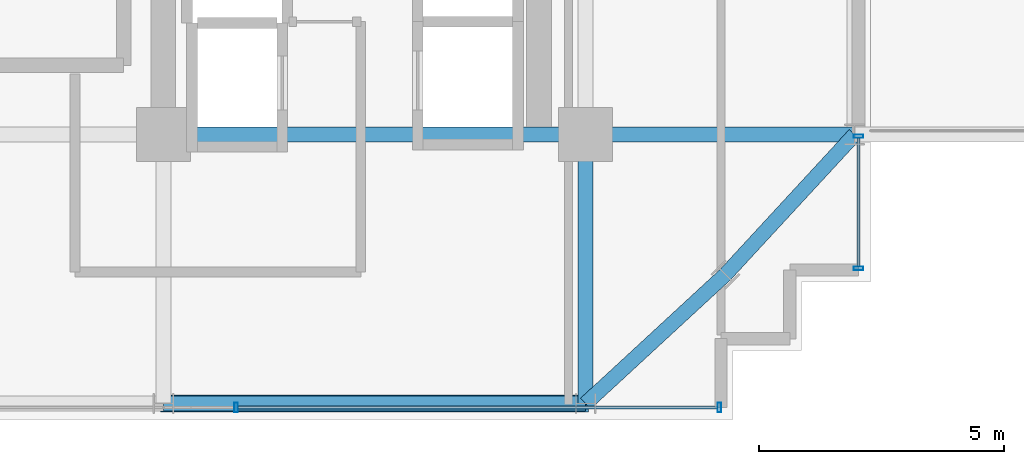
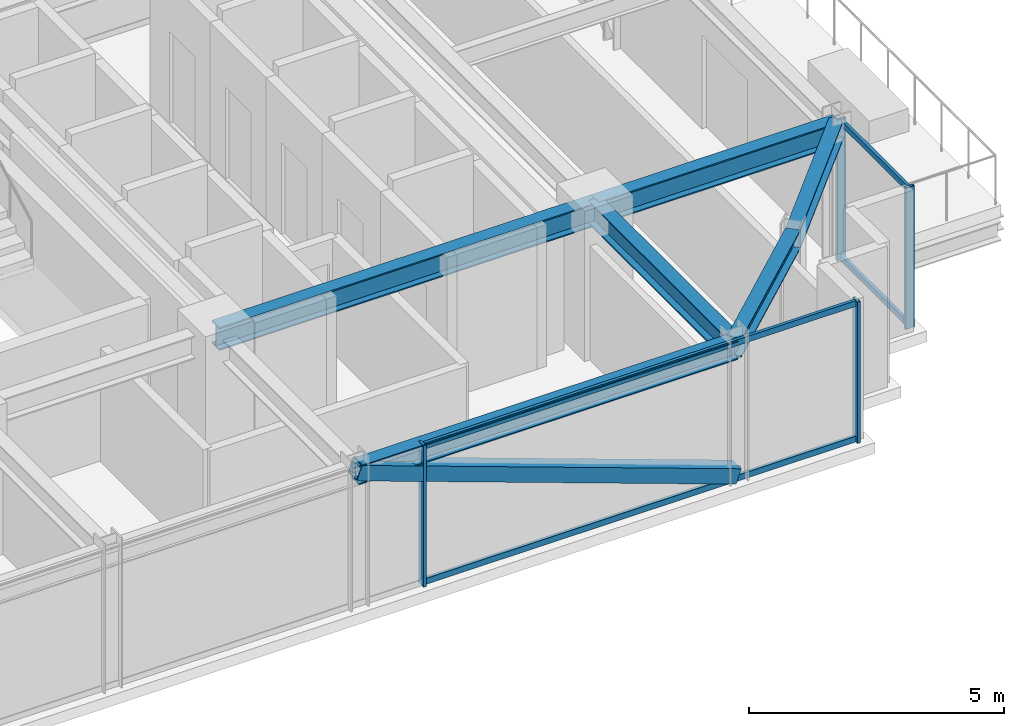
# One storey, part 14 of 36: 9 members, 6 beams, 2 elements without a shape of their own.
"""IFC4 building model written with IfcOpenShell, lengths in metres."""

from ifc_helpers import new_model, si_unit, direction, frame, origin, origin_2d, place, context, subcontext, project, spatial, hollow_rectangle, i_section, extrude, source, transform, mapped, material, material_profile, profile_set, type_object, element, aggregate, save


model = new_model("IFC4")

# Units and contexts
model_context = context("Model", 3, precision=1e-05, world=origin(), true_north=direction((0.0, 1.0)))
body_context = subcontext(model_context, "Body", "Model", "MODEL_VIEW")
ifc_project = project(units=[si_unit("LENGTHUNIT", "METRE"), si_unit("AREAUNIT", "SQUARE_METRE"), si_unit("VOLUMEUNIT", "CUBIC_METRE"), si_unit("PLANEANGLEUNIT", "RADIAN"), si_unit("MASSUNIT", "GRAM", prefix="KILO")], contexts=[model_context])

# Site, building, storey
site_placement = place(None, origin())
site = spatial("IfcSite", under=ifc_project, at=site_placement, CompositionType="ELEMENT")
building_placement = place(site_placement, origin())
building = spatial("IfcBuilding", under=site, at=building_placement, Name="Nahalor Promenade Grand Hotel", CompositionType="ELEMENT")
storey_placement = place(building_placement, frame((0.0, 0.0, 174.550048828125)))
storey = spatial("IfcBuildingStorey", under=building, at=storey_placement, Name="L44", CompositionType="ELEMENT", Elevation=174.550048828125)

# Beams
ifc_material_1 = material(Name="Steel S355JR", Category="steel")
ifc_material_profile_1 = material_profile(ifc_material_1, i_section(OverallWidth=0.3, OverallDepth=0.55, WebThickness=0.015, FlangeThickness=0.029, at=origin_2d()), Name="HEB 550")
ifc_profile_set_1 = profile_set([ifc_material_profile_1], Name="Steel S355JR")
beam_type_1 = type_object("IfcBeamType", Name="Beam-Girder-HEB550", PredefinedType="BEAM", material=ifc_profile_set_1)
shared_shape_1 = source(origin(), body_context, "Body", "SweptSolid", [
    extrude(i_section(OverallWidth=0.3, OverallDepth=0.55, WebThickness=0.015, FlangeThickness=0.029, at=origin_2d()), origin(), (0.0, 0.0, 1.0), 8.60009765625),
])
beam_1_placement = place(storey_placement, frame((8.39990234375, -17.0, 3.114990234375), z_axis=(1.0, 0.0, 0.0), x_axis=(0.0, 1.0, 0.0)))
element("IfcBeam", 1, at=beam_1_placement, inside=storey, type_object=beam_type_1, Name="BM-L44-GX-0-5", PredefinedType="BEAM", context=body_context, shape_type="MappedRepresentation", body=[
    mapped(shared_shape_1, transform((0.0, 0.0, 0.0), scale=1.0)),
])
shared_shape_2 = source(origin(), body_context, "Body", "SweptSolid", [
    extrude(i_section(OverallWidth=0.3, OverallDepth=0.55, WebThickness=0.015, FlangeThickness=0.029, at=origin_2d()), origin(), (0.0, 0.0, 1.0), 5.47998046875),
])
for number, where, z_axis, x_axis, name in (
    (2, (17.0, -17.0, 3.114990234375), (1.0, 0.0, 0.0), (0.0, 1.0, 0.0), "BM-L44-GX-0-6"),
    (3, (17.0, -22.47998046875, 3.114990234375), (0.0, 1.0, 0.0), (-1.0, 0.0, 0.0), "BM-L44-GY-5-0"),
):
    element("IfcBeam", number, at=place(storey_placement, frame(where, z_axis=z_axis, x_axis=x_axis)), inside=storey, type_object=beam_type_1, Name=name, PredefinedType="BEAM", context=body_context, shape_type="MappedRepresentation", body=[
        mapped(shared_shape_2, transform((0.0, 0.0, 0.0), scale=1.0)),
    ])
ifc_material_profile_2 = material_profile(ifc_material_1, i_section(OverallWidth=0.3, OverallDepth=0.45, WebThickness=0.014, FlangeThickness=0.026, at=origin_2d()), Name="HEB 450")
ifc_profile_set_2 = profile_set([ifc_material_profile_2], Name="Steel S355JR")
beam_type_2 = type_object("IfcBeamType", Name="Beam-Spandrel-HEB450", PredefinedType="SPANDREL", material=ifc_profile_set_2)
shared_shape_3 = source(origin(), body_context, "Body", "SweptSolid", [
    extrude(i_section(OverallWidth=0.3, OverallDepth=0.45, WebThickness=0.014, FlangeThickness=0.026, at=origin_2d()), origin(), (0.0, 0.0, 1.0), 8.60009765625),
])
beam_2_placement = place(storey_placement, frame((8.39990234375, -22.47998046875, 3.1650390625), z_axis=(1.0, 0.0, 0.0), x_axis=(0.0, 1.0, 0.0)))
element("IfcBeam", 4, at=beam_2_placement, inside=storey, type_object=beam_type_2, Name="BM-L44-SP-S-4", PredefinedType="SPANDREL", context=body_context, shape_type="MappedRepresentation", body=[
    mapped(shared_shape_3, transform((0.0, 0.0, 0.0), scale=1.0)),
])
shared_shape_4 = source(origin(), body_context, "Body", "SweptSolid", [
    extrude(i_section(OverallWidth=0.3, OverallDepth=0.45, WebThickness=0.014, FlangeThickness=0.026, at=origin_2d()), origin(), (0.0, 0.0, 1.0), 3.878173828125),
])
for number, where, z_axis, x_axis, name in (
    (5, (17.0, -22.47998046875, 3.1650390625), (0.73492893846, 0.678144125843, 0.0), (-0.678144125843, 0.73492893846, 0.0), "BM-L44-SPC-SE-1"),
    (6, (19.85009765625, -19.85009765625, 3.1650390625), (0.678144125843, 0.73492893846, 0.0), (-0.73492893846, 0.678144125843, 0.0), "BM-L44-SPC-SE-2"),
):
    element("IfcBeam", number, at=place(storey_placement, frame(where, z_axis=z_axis, x_axis=x_axis)), inside=storey, type_object=beam_type_2, Name=name, PredefinedType="SPANDREL", context=body_context, shape_type="MappedRepresentation", body=[
        mapped(shared_shape_4, transform((0.0, 0.0, 0.0), scale=1.0)),
    ])

# Member
ifc_material_profile_3 = material_profile(ifc_material_1, hollow_rectangle(XDim=0.35, YDim=0.35, WallThickness=0.02, at=origin_2d()), Name="SHS 350x350x20")
ifc_profile_set_3 = profile_set([ifc_material_profile_3], Name="Steel S355JR")
member_type_1 = type_object("IfcMemberType", Name="Mem-VoidBrace-SHS350", PredefinedType="BRACE", material=ifc_profile_set_3)
shared_shape_5 = source(origin(), body_context, "Body", "SweptSolid", [
    extrude(hollow_rectangle(XDim=0.35, YDim=0.35, WallThickness=0.02, at=origin_2d()), origin(), (0.0, 0.0, 1.0), 9.138427734375),
])
member_1_placement = place(storey_placement, frame((17.0, -22.47998046875, 0.14990234375), z_axis=(-0.941094643271, 0.0, 0.338143272012), x_axis=(0.0, -1.0, 0.0)))
element("IfcMember", 7, at=member_1_placement, inside=storey, type_object=member_type_1, Name="EXO-L44-S-1", PredefinedType="BRACE", context=body_context, shape_type="MappedRepresentation", body=[
    mapped(shared_shape_5, transform((0.0, 0.0, 0.0), scale=1.0)),
])

# Curtain wall, members
ifc_material_2 = material(Name="Anodised Bronze Aluminium EN AW-6063 T6", Category="aluminium")
curtain_wall_type = type_object("IfcCurtainWallType", Name="CW3 Elliptical-Void Collar Unitised Curtain Wall", PredefinedType="USERDEFINED", material=ifc_material_2)
curtain_wall_1_placement = place(storey_placement, origin())
curtain_wall_1 = element("IfcCurtainWall", 8, at=curtain_wall_1_placement, inside=storey, type_object=curtain_wall_type, Name="L44 Curtain Wall CW-L44-S-1", ObjectType="UNITISED_CURTAIN_WALL", PredefinedType="USERDEFINED")
ifc_material_profile_4 = material_profile(ifc_material_2, hollow_rectangle(XDim=0.07, YDim=0.14, WallThickness=0.004, at=origin_2d()), Name="CWT 70x140x4")
ifc_profile_set_4 = profile_set([ifc_material_profile_4], Name="Anodised Bronze Aluminium EN AW-6063 T6")
member_type_2 = type_object("IfcMemberType", Name="CWT3 Void Collar Transom 70x140", PredefinedType="USERDEFINED", material=ifc_profile_set_4)
shared_shape_6 = source(origin(), body_context, "Body", "SweptSolid", [
    extrude(hollow_rectangle(XDim=0.07, YDim=0.14, WallThickness=0.004, at=origin_2d()), origin(), (0.0, 0.0, 1.0), 9.77490234375),
])
member_2_placement = place(storey_placement, frame((9.9150390625, -22.56005859375, 0.070068359375), z_axis=(1.0, 0.0, 0.0), x_axis=(0.0, 1.0, 0.0)))
member_2 = element("IfcMember", 9, at=member_2_placement, type_object=member_type_2, Name="CW-L44-S-1 Transom 3-0", ObjectType="TRANSOM", PredefinedType="USERDEFINED", context=body_context, shape_type="MappedRepresentation", body=[
    mapped(shared_shape_6, transform((0.0, 0.0, 0.0), scale=1.0)),
])
member_3_placement = place(storey_placement, frame((9.9150390625, -22.56005859375, 3.320068359375), z_axis=(1.0, 0.0, 0.0), x_axis=(0.0, 1.0, 0.0)))
member_3 = element("IfcMember", 10, at=member_3_placement, type_object=member_type_2, Name="CW-L44-S-1 Transom 3-1", ObjectType="TRANSOM", PredefinedType="USERDEFINED", context=body_context, shape_type="MappedRepresentation", body=[
    mapped(shared_shape_6, transform((0.0, 0.0, 0.0), scale=1.0)),
])

curtain_wall_2_placement = place(storey_placement, origin())
curtain_wall_2 = element("IfcCurtainWall", 11, at=curtain_wall_2_placement, inside=storey, type_object=curtain_wall_type, Name="L44 Curtain Wall CW-L44-E-1", ObjectType="UNITISED_CURTAIN_WALL", PredefinedType="USERDEFINED")
shared_shape_7 = source(origin(), body_context, "Body", "SweptSolid", [
    extrude(hollow_rectangle(XDim=0.07, YDim=0.14, WallThickness=0.004, at=origin_2d()), origin(), (0.0, 0.0, 1.0), 2.619873046875),
])
member_4_placement = place(storey_placement, frame((22.56005859375, -19.68994140625, 0.070068359375), z_axis=(0.0, 1.0, 0.0), x_axis=(-1.0, 0.0, 0.0)))
member_4 = element("IfcMember", 12, at=member_4_placement, type_object=member_type_2, Name="CW-L44-E-1 Transom 0-0", ObjectType="TRANSOM", PredefinedType="USERDEFINED", context=body_context, shape_type="MappedRepresentation", body=[
    mapped(shared_shape_7, transform((0.0, 0.0, 0.0), scale=1.0)),
])
member_5_placement = place(storey_placement, frame((22.56005859375, -19.68994140625, 3.320068359375), z_axis=(0.0, 1.0, 0.0), x_axis=(-1.0, 0.0, 0.0)))
member_5 = element("IfcMember", 13, at=member_5_placement, type_object=member_type_2, Name="CW-L44-E-1 Transom 0-1", ObjectType="TRANSOM", PredefinedType="USERDEFINED", context=body_context, shape_type="MappedRepresentation", body=[
    mapped(shared_shape_7, transform((0.0, 0.0, 0.0), scale=1.0)),
])

# Member
ifc_material_profile_5 = material_profile(ifc_material_2, hollow_rectangle(XDim=0.07, YDim=0.2, WallThickness=0.005, at=origin_2d()), Name="CWM 70x200x5")
ifc_profile_set_5 = profile_set([ifc_material_profile_5], Name="Anodised Bronze Aluminium EN AW-6063 T6")
member_type_3 = type_object("IfcMemberType", Name="CWM3 Void Collar Mullion 70x200", PredefinedType="MULLION", material=ifc_profile_set_5)
shared_shape_8 = source(origin(), body_context, "Body", "SweptSolid", [
    extrude(hollow_rectangle(XDim=0.07, YDim=0.2, WallThickness=0.005, at=origin_2d()), origin(), (0.0, 0.0, 1.0), 3.389892578125),
])
member_6_placement = place(storey_placement, frame((9.8798828125, -22.56005859375, 0.0), z_axis=(0.0, 0.0, 1.0), x_axis=(1.0, 0.0, 0.0)))
member_6 = element("IfcMember", 14, at=member_6_placement, type_object=member_type_3, Name="CW-L44-S-1 Mullion 3", PredefinedType="MULLION", context=body_context, shape_type="MappedRepresentation", body=[
    mapped(shared_shape_8, transform((0.0, 0.0, 0.0), scale=1.0)),
])

member_7_placement = place(storey_placement, frame((19.72509765625, -22.56005859375, 0.0), z_axis=(0.0, 0.0, 1.0), x_axis=(1.0, 0.0, 0.0)))
member_7 = element("IfcMember", 15, at=member_7_placement, type_object=member_type_3, Name="CW-L44-S-1 Mullion 4", PredefinedType="MULLION", context=body_context, shape_type="MappedRepresentation", body=[
    mapped(shared_shape_8, transform((0.0, 0.0, 0.0), scale=1.0)),
])

aggregate(curtain_wall_1, [member_6, member_7, member_2, member_3])

member_8_placement = place(storey_placement, frame((22.56005859375, -19.72509765625, 0.0), z_axis=(0.0, 0.0, 1.0), x_axis=(0.0, 1.0, 0.0)))
member_8 = element("IfcMember", 16, at=member_8_placement, type_object=member_type_3, Name="CW-L44-E-1 Mullion 0", PredefinedType="MULLION", context=body_context, shape_type="MappedRepresentation", body=[
    mapped(shared_shape_8, transform((0.0, 0.0, 0.0), scale=1.0)),
])

member_9_placement = place(storey_placement, frame((22.56005859375, -17.034912109375, 0.0), z_axis=(0.0, 0.0, 1.0), x_axis=(0.0, 1.0, 0.0)))
member_9 = element("IfcMember", 17, at=member_9_placement, type_object=member_type_3, Name="CW-L44-E-1 Mullion 1", PredefinedType="MULLION", context=body_context, shape_type="MappedRepresentation", body=[
    mapped(shared_shape_8, transform((0.0, 0.0, 0.0), scale=1.0)),
])

aggregate(curtain_wall_2, [member_8, member_9, member_4, member_5])

save(model, "model.ifc")
